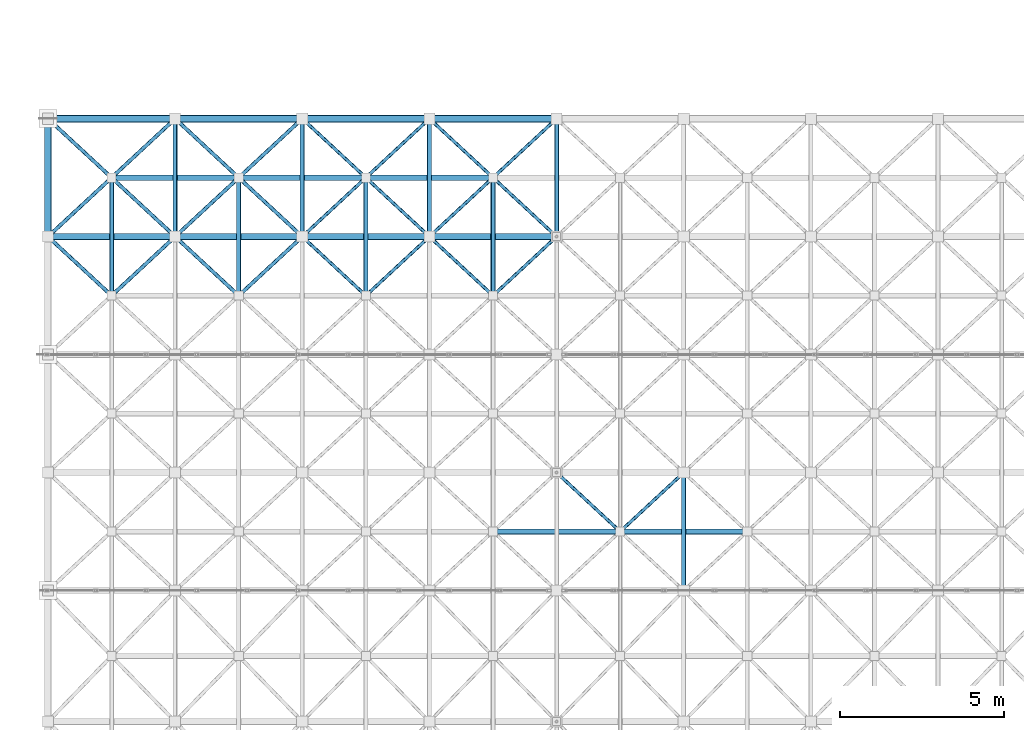
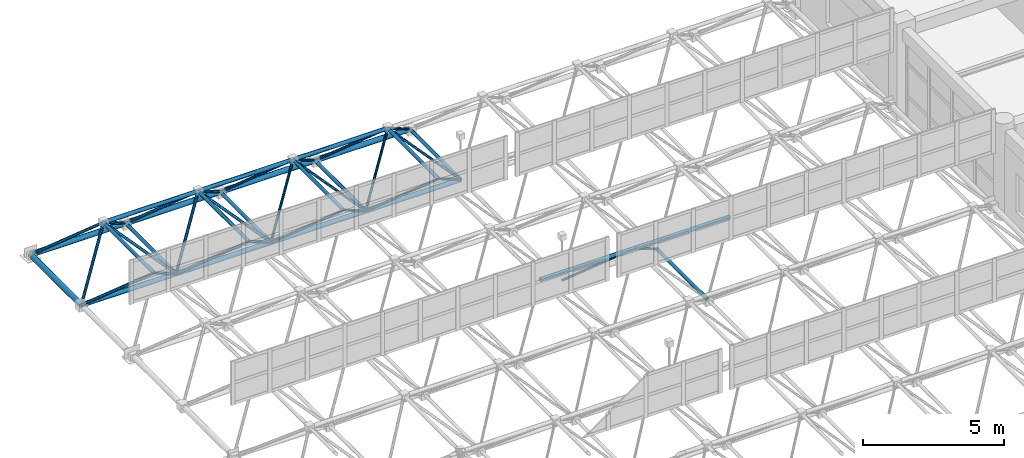
# One storey, part 94 of 195: 49 members.
"""IFC4 building model written with IfcOpenShell, lengths in metres."""

import ifcopenshell
import ifcopenshell.guid

model = None  # the IFC model being written
_history = None  # IfcOwnerHistory: only IFC2X3 demands one
_inside = {}  # id of a spatial element -> (the spatial element, [elements in it])
_under = {}  # id of a project, library or spatial element -> (it, [spatial elements below it])
_declared = {}  # id of a project -> (the project, [libraries it declares])
_typed = {}  # id of a type object -> (the type object, [elements of that type])
_made_of = {}  # id of a material, layer set ... -> (it, [elements and type objects made of it])


def new_model(schema):
    """Start an empty IFC model of exactly this schema.

    Asked for "IFC4X3", IfcOpenShell would pick the latest addendum, in which some entities
    have other attributes; the version numbers below select the first issue.
    IFC2X3 requires an IfcOwnerHistory on every rooted entity: one is made here for all.
    """
    global model, _history
    if schema == "IFC4X3":
        model = ifcopenshell.file(schema_version=(4, 3, 0, 0))
    else:
        model = ifcopenshell.file(schema=schema)
    _inside.clear()
    _under.clear()
    _declared.clear()
    _typed.clear()
    _made_of.clear()
    _history = None
    if model.schema == "IFC2X3":
        org = make("IfcOrganization", Name="unknown")
        user = make(
            "IfcPersonAndOrganization",
            ThePerson=make("IfcPerson", FamilyName="unknown"),
            TheOrganization=org,
        )
        app = make(
            "IfcApplication",
            ApplicationDeveloper=org,
            Version="unknown",
            ApplicationFullName="unknown",
            ApplicationIdentifier="unknown",
        )
        _history = make(
            "IfcOwnerHistory",
            OwningUser=user,
            OwningApplication=app,
            ChangeAction="ADDED",
            CreationDate=0,
        )
    return model


def make(cls, **values):
    """One entity of the class cls with the attributes given. An attribute that is None is left unset."""
    return model.create_entity(
        cls, **{name: value for name, value in values.items() if value is not None}
    )


def rooted(cls, **values):
    """An entity with a GlobalId (a new one), such as an element, a storey or a relation."""
    return make(cls, GlobalId=ifcopenshell.guid.new(), OwnerHistory=_history, **values)


def si_unit(unit_type, name, prefix=None):
    """IfcSIUnit, for example si_unit("LENGTHUNIT", "METRE", prefix="MILLI")."""
    return make("IfcSIUnit", UnitType=unit_type, Prefix=prefix, Name=name)


def assignment(units):
    """IfcUnitAssignment: the units of a project."""
    return None if units is None else make("IfcUnitAssignment", Units=units)


def point(xyz):
    """IfcCartesianPoint."""
    return None if xyz is None else make("IfcCartesianPoint", Coordinates=xyz)


def direction(xyz):
    """IfcDirection."""
    return None if xyz is None else make("IfcDirection", DirectionRatios=xyz)


def frame(location, z_axis=None, x_axis=None):
    """IfcAxis2Placement3D, a coordinate frame: its origin and axes. An axis left out is left unset."""
    return make(
        "IfcAxis2Placement3D",
        Location=point(location),
        Axis=direction(z_axis),
        RefDirection=direction(x_axis),
    )


def frame_2d(location, x_axis=None):
    """IfcAxis2Placement2D, a coordinate frame in the plane: its origin and x axis."""
    return make(
        "IfcAxis2Placement2D", Location=point(location), RefDirection=direction(x_axis)
    )


def origin():
    """The frame at (0, 0, 0) with its axes left unset."""
    return frame((0.0, 0.0, 0.0))


def origin_2d():
    """The frame at (0, 0) in the plane with its x axis left unset."""
    return frame_2d((0.0, 0.0))


def place(relative_to, where):
    """IfcLocalPlacement: puts the frame where relative to a parent placement (None: the world)."""
    return make(
        "IfcLocalPlacement", PlacementRelTo=relative_to, RelativePlacement=where
    )


def context(
    kind, dimensions, precision=None, world=None, true_north=None, identifier=None
):
    """IfcGeometricRepresentationContext, for example the 3D "Model" context."""
    return make(
        "IfcGeometricRepresentationContext",
        ContextIdentifier=identifier,
        ContextType=kind,
        CoordinateSpaceDimension=dimensions,
        Precision=precision,
        WorldCoordinateSystem=world,
        TrueNorth=true_north,
    )


def subcontext(parent, identifier, kind, view, scale=None):
    """IfcGeometricRepresentationSubContext, for example "Body" below "Model"."""
    return make(
        "IfcGeometricRepresentationSubContext",
        ContextIdentifier=identifier,
        ContextType=kind,
        ParentContext=parent,
        TargetScale=scale,
        TargetView=view,
    )


def project(units=None, contexts=None):
    """IfcProject with its units and contexts."""
    return rooted(
        "IfcProject",
        Name="project",
        RepresentationContexts=contexts,
        UnitsInContext=assignment(units),
    )


def spatial(cls, under=None, at=None, **own):
    """A site, building, storey or space (cls), placed at a placement, below another one or the project."""
    s = rooted(cls, ObjectPlacement=at, **own)
    if under is not None:
        _under.setdefault(under.id(), (under, []))[1].append(s)
    return s


def profile(cls, at=None, kind="AREA", **sizes):
    """A parametric profile (cls). Its sizes go by their IFC names, for example OverallWidth=200.0."""
    return make(cls, ProfileType=kind, Position=at, **sizes)


def hollow_circle(**sizes):
    """IfcCircleHollowProfileDef."""
    return profile("IfcCircleHollowProfileDef", **sizes)


def extrude(swept, where, along, depth):
    """IfcExtrudedAreaSolid: the profile swept, set in the frame where, extruded along a direction by depth."""
    return make(
        "IfcExtrudedAreaSolid",
        SweptArea=swept,
        Position=where,
        ExtrudedDirection=direction(along),
        Depth=depth,
    )


def shape(context_of_items, identifier, shape_type, items):
    """IfcShapeRepresentation: the items that make up one representation, for example the "Body"."""
    return make(
        "IfcShapeRepresentation",
        ContextOfItems=context_of_items,
        RepresentationIdentifier=identifier,
        RepresentationType=shape_type,
        Items=items,
    )


def material(Name=None, Category=None):
    """IfcMaterial."""
    return make("IfcMaterial", Name=Name, Category=Category)


def material_profile(
    of_material, cross_section, Name=None, Category=None, Priority=None
):
    """IfcMaterialProfile: a cross section and its material."""
    return make(
        "IfcMaterialProfile",
        Name=Name,
        Material=of_material,
        Profile=cross_section,
        Priority=Priority,
        Category=Category,
    )


def profile_set(profiles, Name=None, composite=None):
    """IfcMaterialProfileSet."""
    return make(
        "IfcMaterialProfileSet",
        Name=Name,
        MaterialProfiles=profiles,
        CompositeProfile=composite,
    )


def made_of(thing, what):
    """Note that an element or type object is made of a material, layer set ...; save() writes the relation."""
    if what is not None:
        _made_of.setdefault(what.id(), (what, []))[1].append(thing)
    return thing


def type_object(cls, material=None, **own):
    """A type object (cls), such as IfcWallType, which elements share."""
    return made_of(rooted(cls, **own), material)


def element(
    cls,
    number,
    at=None,
    inside=None,
    cuts=None,
    type_object=None,
    material=None,
    context=None,
    identifier="Body",
    shape_type=None,
    held_by="IfcProductDefinitionShape",
    body=None,
    shapes=None,
    **own,
):
    """One element of the class cls, such as IfcWall. Its Tag is "e" and its number.

    at: its placement. inside: the storey or other place that contains it. cuts: it is an
    opening in that element (IfcRelVoidsElement). A single representation is given by context,
    identifier, shape_type and body (its items); several are given by shapes. held_by: the class
    of the entity that holds the representations. save() writes the other relations.
    """
    e = rooted(cls, Tag="e%d" % number, ObjectPlacement=at, **own)
    if body is not None:
        shapes = [shape(context, identifier, shape_type, body)]
    if shapes is not None:
        e.Representation = make(held_by, Representations=shapes)
    if inside is not None:
        _inside.setdefault(inside.id(), (inside, []))[1].append(e)
    if cuts is not None:
        rooted(
            "IfcRelVoidsElement", RelatingBuildingElement=cuts, RelatedOpeningElement=e
        )
    if type_object is not None:
        _typed.setdefault(type_object.id(), (type_object, []))[1].append(e)
    return made_of(e, material)


def aggregate(whole, parts):
    """IfcRelAggregates: a whole, such as a stair, and the parts it consists of."""
    return rooted("IfcRelAggregates", RelatingObject=whole, RelatedObjects=parts)


def save(model, path):
    """Write the relations noted so far, then the file.

    IfcRelAggregates (storeys below a building ...), IfcRelContainedInSpatialStructure (elements
    in a storey), IfcRelDefinesByType, IfcRelAssociatesMaterial and IfcRelDeclares: one each for
    every whole, place, type object, material and project.
    """
    for whole, parts in _under.values():
        aggregate(whole, parts)
    for where, things in _inside.values():
        rooted(
            "IfcRelContainedInSpatialStructure",
            RelatedElements=things,
            RelatingStructure=where,
        )
    for kind, things in _typed.values():
        rooted("IfcRelDefinesByType", RelatedObjects=things, RelatingType=kind)
    for what, things in _made_of.values():
        rooted("IfcRelAssociatesMaterial", RelatedObjects=things, RelatingMaterial=what)
    for by, libraries in _declared.values():
        rooted("IfcRelDeclares", RelatingContext=by, RelatedDefinitions=libraries)
    model.write(path)


model = new_model("IFC4")

# Units and contexts
model_context = context("Model", 3, precision=1e-05, world=origin(), true_north=direction((0.0, 1.0)))
body_context = subcontext(model_context, "Body", "Model", "MODEL_VIEW")
ifc_project = project(units=[si_unit("LENGTHUNIT", "METRE"), si_unit("AREAUNIT", "SQUARE_METRE"), si_unit("VOLUMEUNIT", "CUBIC_METRE"), si_unit("PLANEANGLEUNIT", "RADIAN"), si_unit("MASSUNIT", "GRAM", prefix="KILO")], contexts=[model_context])

# Site, building, storey
site_placement = place(None, origin())
site = spatial("IfcSite", under=ifc_project, at=site_placement, CompositionType="ELEMENT")
building_placement = place(site_placement, origin())
building = spatial("IfcBuilding", under=site, at=building_placement, Name="Kharva Crest Polytechnic", CompositionType="ELEMENT")
storey_placement = place(building_placement, frame((0.0, 0.0, 9.0)))
storey = spatial("IfcBuildingStorey", under=building, at=storey_placement, Name="L02", CompositionType="ELEMENT", Elevation=9.0)

# Members
ifc_material = material(Name="Steel S355", Category="steel")
ifc_material_profile_1 = material_profile(ifc_material, hollow_circle(Radius=0.05078125, WallThickness=0.0048828125, at=origin_2d()), Name="CHS 101.6X5.0")
ifc_profile_set_1 = profile_set([ifc_material_profile_1], Name="Steel S355")
member_type_1 = type_object("IfcMemberType", Name="MEM-CHS101", PredefinedType="BRACE", material=ifc_profile_set_1)
member_1_placement = place(storey_placement, frame((8.239990234375, 89.60009765625, 0.60009765625), z_axis=(0.606147481159, -0.562437122903, 0.562360839555), x_axis=(0.680182129432, 0.73304315753, 0.0)))
element("IfcMember", 1, at=member_1_placement, inside=storey, type_object=member_type_1, Name="Space Frame Web Diagonal 611", PredefinedType="BRACE", context=body_context, shape_type="SweptSolid", body=[
    extrude(hollow_circle(Radius=0.05078125, WallThickness=0.0048828125, at=origin_2d()), origin(), (0.0, 0.0, 1.0), 3.200439453125),
])
member_2_placement = place(storey_placement, frame((12.1201171875, 89.60009765625, 0.60009765625), z_axis=(-0.606195733531, -0.562411116563, 0.562334836743), x_axis=(0.680136133543, -0.733085833889, 0.0)))
element("IfcMember", 2, at=member_2_placement, inside=storey, type_object=member_type_1, Name="Space Frame Web Diagonal 612", PredefinedType="BRACE", context=body_context, shape_type="SweptSolid", body=[
    extrude(hollow_circle(Radius=0.05078125, WallThickness=0.0048828125, at=origin_2d()), origin(), (0.0, 0.0, 1.0), 3.20068359375),
])
member_3_placement = place(storey_placement, frame((8.239990234375, 89.60009765625, 0.60009765625), z_axis=(0.606173487576, 0.562384967331, 0.562384967331), x_axis=(-0.680132552351, 0.7330891564, 0.0)))
element("IfcMember", 3, at=member_3_placement, inside=storey, type_object=member_type_1, Name="Space Frame Web Diagonal 613", PredefinedType="BRACE", context=body_context, shape_type="SweptSolid", body=[
    extrude(hollow_circle(Radius=0.05078125, WallThickness=0.0048828125, at=origin_2d()), origin(), (0.0, 0.0, 1.0), 3.2001953125),
])
for number, where, z_axis, x_axis, name in (
    (4, (12.1201171875, 89.60009765625, 0.60009765625), (-0.606221739613, 0.562358961172, 0.562358961172), (-0.680086554043, -0.733131829216, 0.0), "Space Frame Web Diagonal 614"),
    (5, (8.239990234375, 93.199951171875, 0.60009765625), (0.606147481159, -0.562437122903, 0.562360839555), (0.680182129432, 0.73304315753, 0.0), "Space Frame Web Diagonal 615"),
):
    element("IfcMember", number, at=place(storey_placement, frame(where, z_axis=z_axis, x_axis=x_axis)), inside=storey, type_object=member_type_1, Name=name, PredefinedType="BRACE", context=body_context, shape_type="SweptSolid", body=[
        extrude(hollow_circle(Radius=0.05078125, WallThickness=0.0048828125, at=origin_2d()), origin(), (0.0, 0.0, 1.0), 3.200439453125),
    ])
member_4_placement = place(storey_placement, frame((12.1201171875, 93.199951171875, 0.60009765625), z_axis=(-0.606195733531, -0.562411116563, 0.562334836743), x_axis=(0.680136133543, -0.733085833889, 0.0)))
element("IfcMember", 6, at=member_4_placement, inside=storey, type_object=member_type_1, Name="Space Frame Web Diagonal 616", PredefinedType="BRACE", context=body_context, shape_type="SweptSolid", body=[
    extrude(hollow_circle(Radius=0.05078125, WallThickness=0.0048828125, at=origin_2d()), origin(), (0.0, 0.0, 1.0), 3.20068359375),
])
for number, where, z_axis, x_axis, name in (
    (7, (12.1201171875, 89.60009765625, 0.60009765625), (0.606147481159, -0.562437122903, 0.562360839555), (0.680182129432, 0.73304315753, 0.0), "Space Frame Web Diagonal 667"),
    (8, (16.0, 89.60009765625, 0.60009765625), (-0.606147481159, -0.562437122903, 0.562360839555), (0.680182129432, -0.73304315753, 0.0), "Space Frame Web Diagonal 668"),
):
    element("IfcMember", number, at=place(storey_placement, frame(where, z_axis=z_axis, x_axis=x_axis)), inside=storey, type_object=member_type_1, Name=name, PredefinedType="BRACE", context=body_context, shape_type="SweptSolid", body=[
        extrude(hollow_circle(Radius=0.05078125, WallThickness=0.0048828125, at=origin_2d()), origin(), (0.0, 0.0, 1.0), 3.200439453125),
    ])
for number, where, z_axis, x_axis, name in (
    (9, (12.1201171875, 89.60009765625, 0.60009765625), (0.606173487576, 0.562384967331, 0.562384967331), (-0.680132552351, 0.7330891564, 0.0), "Space Frame Web Diagonal 669"),
    (10, (16.0, 89.60009765625, 0.60009765625), (-0.606173487576, 0.562384967331, 0.562384967331), (-0.680132552351, -0.7330891564, 0.0), "Space Frame Web Diagonal 670"),
):
    element("IfcMember", number, at=place(storey_placement, frame(where, z_axis=z_axis, x_axis=x_axis)), inside=storey, type_object=member_type_1, Name=name, PredefinedType="BRACE", context=body_context, shape_type="SweptSolid", body=[
        extrude(hollow_circle(Radius=0.05078125, WallThickness=0.0048828125, at=origin_2d()), origin(), (0.0, 0.0, 1.0), 3.2001953125),
    ])
for number, where, z_axis, x_axis, name in (
    (11, (12.1201171875, 93.199951171875, 0.60009765625), (0.606147481159, -0.562437122903, 0.562360839555), (0.680182129432, 0.73304315753, 0.0), "Space Frame Web Diagonal 671"),
    (12, (16.0, 93.199951171875, 0.60009765625), (-0.606147481159, -0.562437122903, 0.562360839555), (0.680182129432, -0.73304315753, 0.0), "Space Frame Web Diagonal 672"),
):
    element("IfcMember", number, at=place(storey_placement, frame(where, z_axis=z_axis, x_axis=x_axis)), inside=storey, type_object=member_type_1, Name=name, PredefinedType="BRACE", context=body_context, shape_type="SweptSolid", body=[
        extrude(hollow_circle(Radius=0.05078125, WallThickness=0.0048828125, at=origin_2d()), origin(), (0.0, 0.0, 1.0), 3.200439453125),
    ])
for number, where, z_axis, x_axis, name in (
    (13, (16.0, 82.39990234375, 0.60009765625), (0.606173487576, -0.562384967331, 0.562384967331), (0.680132552351, 0.7330891564, 0.0), "Space Frame Web Diagonal 715"),
    (14, (19.8798828125, 82.39990234375, 0.60009765625), (-0.606173487576, -0.562384967331, 0.562384967331), (0.680132552351, -0.7330891564, 0.0), "Space Frame Web Diagonal 716"),
):
    element("IfcMember", number, at=place(storey_placement, frame(where, z_axis=z_axis, x_axis=x_axis)), inside=storey, type_object=member_type_1, Name=name, PredefinedType="BRACE", context=body_context, shape_type="SweptSolid", body=[
        extrude(hollow_circle(Radius=0.05078125, WallThickness=0.0048828125, at=origin_2d()), origin(), (0.0, 0.0, 1.0), 3.2001953125),
    ])
ifc_material_profile_2 = material_profile(ifc_material, hollow_circle(Radius=0.05712890625, WallThickness=0.00634765625, at=origin_2d()), Name="CHS 114.3X6.3")
ifc_profile_set_2 = profile_set([ifc_material_profile_2], Name="Steel S355")
member_type_2 = type_object("IfcMemberType", Name="MEM-CHS114", PredefinedType="BRACE", material=ifc_profile_set_2)
member_5_placement = place(storey_placement, frame((0.47998046875, 89.60009765625, 0.60009765625), z_axis=(0.606147481159, -0.562437122903, 0.562360839555), x_axis=(0.680182129432, 0.73304315753, 0.0)))
element("IfcMember", 15, at=member_5_placement, inside=storey, type_object=member_type_2, Name="Space Frame Web Diagonal 499", PredefinedType="BRACE", context=body_context, shape_type="SweptSolid", body=[
    extrude(hollow_circle(Radius=0.05712890625, WallThickness=0.00634765625, at=origin_2d()), origin(), (0.0, 0.0, 1.0), 3.200439453125),
])
member_6_placement = place(storey_placement, frame((4.360107421875, 89.60009765625, 0.60009765625), z_axis=(-0.606195733531, -0.562411116563, 0.562334836743), x_axis=(0.680136133543, -0.733085833889, 0.0)))
element("IfcMember", 16, at=member_6_placement, inside=storey, type_object=member_type_2, Name="Space Frame Web Diagonal 500", PredefinedType="BRACE", context=body_context, shape_type="SweptSolid", body=[
    extrude(hollow_circle(Radius=0.05712890625, WallThickness=0.00634765625, at=origin_2d()), origin(), (0.0, 0.0, 1.0), 3.20068359375),
])
member_7_placement = place(storey_placement, frame((0.47998046875, 89.60009765625, 0.60009765625), z_axis=(0.606173487576, 0.562384967331, 0.562384967331), x_axis=(-0.680132552351, 0.7330891564, 0.0)))
element("IfcMember", 17, at=member_7_placement, inside=storey, type_object=member_type_2, Name="Space Frame Web Diagonal 501", PredefinedType="BRACE", context=body_context, shape_type="SweptSolid", body=[
    extrude(hollow_circle(Radius=0.05712890625, WallThickness=0.00634765625, at=origin_2d()), origin(), (0.0, 0.0, 1.0), 3.2001953125),
])
for number, where, z_axis, x_axis, name in (
    (18, (4.360107421875, 89.60009765625, 0.60009765625), (-0.606221739613, 0.562358961172, 0.562358961172), (-0.680086554043, -0.733131829216, 0.0), "Space Frame Web Diagonal 502"),
    (19, (0.47998046875, 93.199951171875, 0.60009765625), (0.606147481159, -0.562437122903, 0.562360839555), (0.680182129432, 0.73304315753, 0.0), "Space Frame Web Diagonal 503"),
):
    element("IfcMember", number, at=place(storey_placement, frame(where, z_axis=z_axis, x_axis=x_axis)), inside=storey, type_object=member_type_2, Name=name, PredefinedType="BRACE", context=body_context, shape_type="SweptSolid", body=[
        extrude(hollow_circle(Radius=0.05712890625, WallThickness=0.00634765625, at=origin_2d()), origin(), (0.0, 0.0, 1.0), 3.200439453125),
    ])
member_8_placement = place(storey_placement, frame((4.360107421875, 93.199951171875, 0.60009765625), z_axis=(-0.606195733531, -0.562411116563, 0.562334836743), x_axis=(0.680136133543, -0.733085833889, 0.0)))
element("IfcMember", 20, at=member_8_placement, inside=storey, type_object=member_type_2, Name="Space Frame Web Diagonal 504", PredefinedType="BRACE", context=body_context, shape_type="SweptSolid", body=[
    extrude(hollow_circle(Radius=0.05712890625, WallThickness=0.00634765625, at=origin_2d()), origin(), (0.0, 0.0, 1.0), 3.20068359375),
])
for number, where, z_axis, x_axis, name in (
    (21, (4.360107421875, 89.60009765625, 0.60009765625), (0.606147481159, -0.562437122903, 0.562360839555), (0.680182129432, 0.73304315753, 0.0), "Space Frame Web Diagonal 555"),
    (22, (8.239990234375, 89.60009765625, 0.60009765625), (-0.606147481159, -0.562437122903, 0.562360839555), (0.680182129432, -0.73304315753, 0.0), "Space Frame Web Diagonal 556"),
):
    element("IfcMember", number, at=place(storey_placement, frame(where, z_axis=z_axis, x_axis=x_axis)), inside=storey, type_object=member_type_2, Name=name, PredefinedType="BRACE", context=body_context, shape_type="SweptSolid", body=[
        extrude(hollow_circle(Radius=0.05712890625, WallThickness=0.00634765625, at=origin_2d()), origin(), (0.0, 0.0, 1.0), 3.200439453125),
    ])
for number, where, z_axis, x_axis, name in (
    (23, (4.360107421875, 89.60009765625, 0.60009765625), (0.606173487576, 0.562384967331, 0.562384967331), (-0.680132552351, 0.7330891564, 0.0), "Space Frame Web Diagonal 557"),
    (24, (8.239990234375, 89.60009765625, 0.60009765625), (-0.606173487576, 0.562384967331, 0.562384967331), (-0.680132552351, -0.7330891564, 0.0), "Space Frame Web Diagonal 558"),
):
    element("IfcMember", number, at=place(storey_placement, frame(where, z_axis=z_axis, x_axis=x_axis)), inside=storey, type_object=member_type_2, Name=name, PredefinedType="BRACE", context=body_context, shape_type="SweptSolid", body=[
        extrude(hollow_circle(Radius=0.05712890625, WallThickness=0.00634765625, at=origin_2d()), origin(), (0.0, 0.0, 1.0), 3.2001953125),
    ])
for number, where, z_axis, x_axis, name in (
    (25, (4.360107421875, 93.199951171875, 0.60009765625), (0.606147481159, -0.562437122903, 0.562360839555), (0.680182129432, 0.73304315753, 0.0), "Space Frame Web Diagonal 559"),
    (26, (8.239990234375, 93.199951171875, 0.60009765625), (-0.606147481159, -0.562437122903, 0.562360839555), (0.680182129432, -0.73304315753, 0.0), "Space Frame Web Diagonal 560"),
):
    element("IfcMember", number, at=place(storey_placement, frame(where, z_axis=z_axis, x_axis=x_axis)), inside=storey, type_object=member_type_2, Name=name, PredefinedType="BRACE", context=body_context, shape_type="SweptSolid", body=[
        extrude(hollow_circle(Radius=0.05712890625, WallThickness=0.00634765625, at=origin_2d()), origin(), (0.0, 0.0, 1.0), 3.200439453125),
    ])
ifc_material_profile_3 = material_profile(ifc_material, hollow_circle(Radius=0.06982421875, WallThickness=0.00634765625, at=origin_2d()), Name="CHS 139.7X6.3")
ifc_profile_set_3 = profile_set([ifc_material_profile_3], Name="Steel S355")
member_type_3 = type_object("IfcMemberType", Name="MEM-CHS139", PredefinedType="CHORD", material=ifc_profile_set_3)
for number, where, z_axis, x_axis, name in (
    (27, (4.360107421875, 89.60009765625, 0.60009765625), (0.0, 1.0, 0.0), (-1.0, 0.0, 0.0), "Space Frame Bottom Chord Y 148"),
    (28, (8.239990234375, 89.60009765625, 0.60009765625), (0.0, 1.0, 0.0), (-1.0, 0.0, 0.0), "Space Frame Bottom Chord Y 162"),
    (29, (12.1201171875, 89.60009765625, 0.60009765625), (0.0, 1.0, 0.0), (-1.0, 0.0, 0.0), "Space Frame Bottom Chord Y 176"),
    (30, (16.0, 89.60009765625, 0.60009765625), (0.0, 1.0, 0.0), (-1.0, 0.0, 0.0), "Space Frame Bottom Chord Y 190"),
    (31, (19.8798828125, 78.800048828125, 0.60009765625), (0.0, 1.0, 0.0), (-1.0, 0.0, 0.0), "Space Frame Bottom Chord Y 201"),
    (32, (2.419921875, 87.800048828125, 2.39990234375), (0.0, 1.0, 0.0), (-1.0, 0.0, 0.0), "Space Frame Top Chord Y 357"),
    (33, (6.300048828125, 87.800048828125, 2.39990234375), (0.0, 1.0, 0.0), (-1.0, 0.0, 0.0), "Space Frame Top Chord Y 370"),
    (34, (10.179931640625, 87.800048828125, 2.39990234375), (0.0, 1.0, 0.0), (-1.0, 0.0, 0.0), "Space Frame Top Chord Y 383"),
    (35, (14.06005859375, 87.800048828125, 2.39990234375), (0.0, 1.0, 0.0), (-1.0, 0.0, 0.0), "Space Frame Top Chord Y 396"),
):
    element("IfcMember", number, at=place(storey_placement, frame(where, z_axis=z_axis, x_axis=x_axis)), inside=storey, type_object=member_type_3, Name=name, PredefinedType="CHORD", context=body_context, shape_type="SweptSolid", body=[
        extrude(hollow_circle(Radius=0.06982421875, WallThickness=0.00634765625, at=origin_2d()), origin(), (0.0, 0.0, 1.0), 3.599853515625),
    ])
ifc_material_profile_4 = material_profile(ifc_material, hollow_circle(Radius=0.084228515625, WallThickness=0.008056640625, at=origin_2d()), Name="CHS 168.3X8.0")
ifc_profile_set_4 = profile_set([ifc_material_profile_4], Name="Steel S355")
member_type_4 = type_object("IfcMemberType", Name="MEM-CHS168", PredefinedType="CHORD", material=ifc_profile_set_4)
member_9_placement = place(storey_placement, frame((14.06005859375, 80.60009765625, 2.39990234375), z_axis=(1.0, 0.0, 0.0), x_axis=(0.0, 1.0, 0.0)))
element("IfcMember", 36, at=member_9_placement, inside=storey, type_object=member_type_4, Name="Space Frame Top Chord X 320", PredefinedType="CHORD", context=body_context, shape_type="SweptSolid", body=[
    extrude(hollow_circle(Radius=0.084228515625, WallThickness=0.008056640625, at=origin_2d()), origin(), (0.0, 0.0, 1.0), 3.8798828125),
])
for number, where, z_axis, x_axis, name in (
    (37, (17.93994140625, 80.60009765625, 2.39990234375), (1.0, 0.0, 0.0), (0.0, 1.0, 0.0), "Space Frame Top Chord X 321"),
    (38, (2.419921875, 91.39990234375, 2.39990234375), (1.0, 0.0, 0.0), (0.0, 1.0, 0.0), "Space Frame Top Chord X 338"),
):
    element("IfcMember", number, at=place(storey_placement, frame(where, z_axis=z_axis, x_axis=x_axis)), inside=storey, type_object=member_type_4, Name=name, PredefinedType="CHORD", context=body_context, shape_type="SweptSolid", body=[
        extrude(hollow_circle(Radius=0.084228515625, WallThickness=0.008056640625, at=origin_2d()), origin(), (0.0, 0.0, 1.0), 3.880126953125),
    ])
member_10_placement = place(storey_placement, frame((6.300048828125, 91.39990234375, 2.39990234375), z_axis=(1.0, 0.0, 0.0), x_axis=(0.0, 1.0, 0.0)))
element("IfcMember", 39, at=member_10_placement, inside=storey, type_object=member_type_4, Name="Space Frame Top Chord X 339", PredefinedType="CHORD", context=body_context, shape_type="SweptSolid", body=[
    extrude(hollow_circle(Radius=0.084228515625, WallThickness=0.008056640625, at=origin_2d()), origin(), (0.0, 0.0, 1.0), 3.8798828125),
])
member_11_placement = place(storey_placement, frame((10.179931640625, 91.39990234375, 2.39990234375), z_axis=(1.0, 0.0, 0.0), x_axis=(0.0, 1.0, 0.0)))
element("IfcMember", 40, at=member_11_placement, inside=storey, type_object=member_type_4, Name="Space Frame Top Chord X 340", PredefinedType="CHORD", context=body_context, shape_type="SweptSolid", body=[
    extrude(hollow_circle(Radius=0.084228515625, WallThickness=0.008056640625, at=origin_2d()), origin(), (0.0, 0.0, 1.0), 3.880126953125),
])
ifc_material_profile_5 = material_profile(ifc_material, hollow_circle(Radius=0.096923828125, WallThickness=0.008056640625, at=origin_2d()), Name="CHS 193.7X8.0")
ifc_profile_set_5 = profile_set([ifc_material_profile_5], Name="Steel S355")
member_type_5 = type_object("IfcMemberType", Name="MEM-CHS193", PredefinedType="CHORD", material=ifc_profile_set_5)
member_12_placement = place(storey_placement, frame((0.47998046875, 89.60009765625, 0.60009765625), z_axis=(1.0, 0.0, 0.0), x_axis=(0.0, 1.0, 0.0)))
element("IfcMember", 41, at=member_12_placement, inside=storey, type_object=member_type_5, Name="Space Frame Bottom Chord X 105", PredefinedType="CHORD", context=body_context, shape_type="SweptSolid", body=[
    extrude(hollow_circle(Radius=0.096923828125, WallThickness=0.008056640625, at=origin_2d()), origin(), (0.0, 0.0, 1.0), 3.880126953125),
])
member_13_placement = place(storey_placement, frame((4.360107421875, 89.60009765625, 0.60009765625), z_axis=(1.0, 0.0, 0.0), x_axis=(0.0, 1.0, 0.0)))
element("IfcMember", 42, at=member_13_placement, inside=storey, type_object=member_type_5, Name="Space Frame Bottom Chord X 106", PredefinedType="CHORD", context=body_context, shape_type="SweptSolid", body=[
    extrude(hollow_circle(Radius=0.096923828125, WallThickness=0.008056640625, at=origin_2d()), origin(), (0.0, 0.0, 1.0), 3.8798828125),
])
member_14_placement = place(storey_placement, frame((8.239990234375, 89.60009765625, 0.60009765625), z_axis=(1.0, 0.0, 0.0), x_axis=(0.0, 1.0, 0.0)))
element("IfcMember", 43, at=member_14_placement, inside=storey, type_object=member_type_5, Name="Space Frame Bottom Chord X 107", PredefinedType="CHORD", context=body_context, shape_type="SweptSolid", body=[
    extrude(hollow_circle(Radius=0.096923828125, WallThickness=0.008056640625, at=origin_2d()), origin(), (0.0, 0.0, 1.0), 3.880126953125),
])
member_15_placement = place(storey_placement, frame((12.1201171875, 89.60009765625, 0.60009765625), z_axis=(1.0, 0.0, 0.0), x_axis=(0.0, 1.0, 0.0)))
element("IfcMember", 44, at=member_15_placement, inside=storey, type_object=member_type_5, Name="Space Frame Bottom Chord X 108", PredefinedType="CHORD", context=body_context, shape_type="SweptSolid", body=[
    extrude(hollow_circle(Radius=0.096923828125, WallThickness=0.008056640625, at=origin_2d()), origin(), (0.0, 0.0, 1.0), 3.8798828125),
])
ifc_material_profile_6 = material_profile(ifc_material, hollow_circle(Radius=0.109619140625, WallThickness=0.010009765625, at=origin_2d()), Name="CHS 219.1X10.0")
ifc_profile_set_6 = profile_set([ifc_material_profile_6], Name="Steel S355")
member_type_6 = type_object("IfcMemberType", Name="MEM-CHS219", PredefinedType="CHORD", material=ifc_profile_set_6)
member_16_placement = place(storey_placement, frame((0.47998046875, 93.199951171875, 0.60009765625), z_axis=(1.0, 0.0, 0.0), x_axis=(0.0, 1.0, 0.0)))
element("IfcMember", 45, at=member_16_placement, inside=storey, type_object=member_type_6, Name="Space Frame Bottom Chord X 113", PredefinedType="CHORD", context=body_context, shape_type="SweptSolid", body=[
    extrude(hollow_circle(Radius=0.109619140625, WallThickness=0.010009765625, at=origin_2d()), origin(), (0.0, 0.0, 1.0), 3.880126953125),
])
member_17_placement = place(storey_placement, frame((4.360107421875, 93.199951171875, 0.60009765625), z_axis=(1.0, 0.0, 0.0), x_axis=(0.0, 1.0, 0.0)))
element("IfcMember", 46, at=member_17_placement, inside=storey, type_object=member_type_6, Name="Space Frame Bottom Chord X 114", PredefinedType="CHORD", context=body_context, shape_type="SweptSolid", body=[
    extrude(hollow_circle(Radius=0.109619140625, WallThickness=0.010009765625, at=origin_2d()), origin(), (0.0, 0.0, 1.0), 3.8798828125),
])
member_18_placement = place(storey_placement, frame((8.239990234375, 93.199951171875, 0.60009765625), z_axis=(1.0, 0.0, 0.0), x_axis=(0.0, 1.0, 0.0)))
element("IfcMember", 47, at=member_18_placement, inside=storey, type_object=member_type_6, Name="Space Frame Bottom Chord X 115", PredefinedType="CHORD", context=body_context, shape_type="SweptSolid", body=[
    extrude(hollow_circle(Radius=0.109619140625, WallThickness=0.010009765625, at=origin_2d()), origin(), (0.0, 0.0, 1.0), 3.880126953125),
])
member_19_placement = place(storey_placement, frame((12.1201171875, 93.199951171875, 0.60009765625), z_axis=(1.0, 0.0, 0.0), x_axis=(0.0, 1.0, 0.0)))
element("IfcMember", 48, at=member_19_placement, inside=storey, type_object=member_type_6, Name="Space Frame Bottom Chord X 116", PredefinedType="CHORD", context=body_context, shape_type="SweptSolid", body=[
    extrude(hollow_circle(Radius=0.109619140625, WallThickness=0.010009765625, at=origin_2d()), origin(), (0.0, 0.0, 1.0), 3.8798828125),
])
member_20_placement = place(storey_placement, frame((0.47998046875, 89.60009765625, 0.60009765625), z_axis=(0.0, 1.0, 0.0), x_axis=(-1.0, 0.0, 0.0)))
element("IfcMember", 49, at=member_20_placement, inside=storey, type_object=member_type_6, Name="Space Frame Bottom Chord Y 134", PredefinedType="CHORD", context=body_context, shape_type="SweptSolid", body=[
    extrude(hollow_circle(Radius=0.109619140625, WallThickness=0.010009765625, at=origin_2d()), origin(), (0.0, 0.0, 1.0), 3.599853515625),
])

save(model, "model.ifc")
